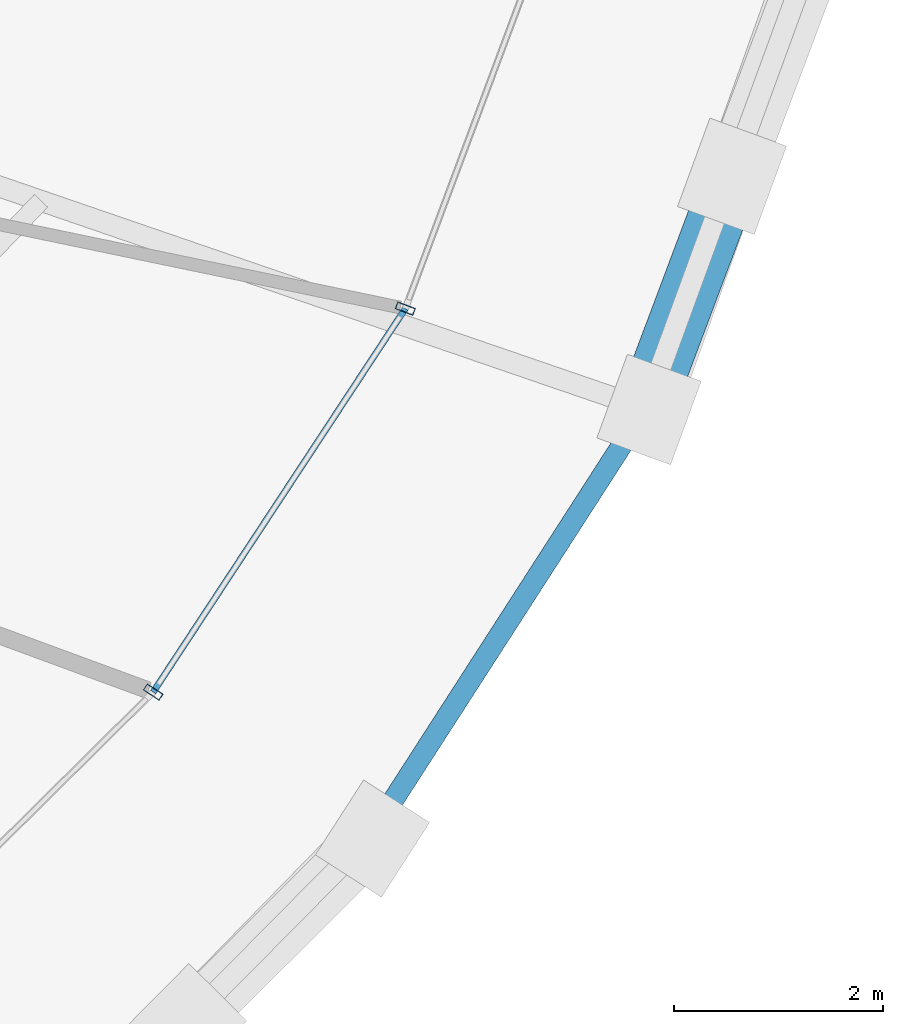
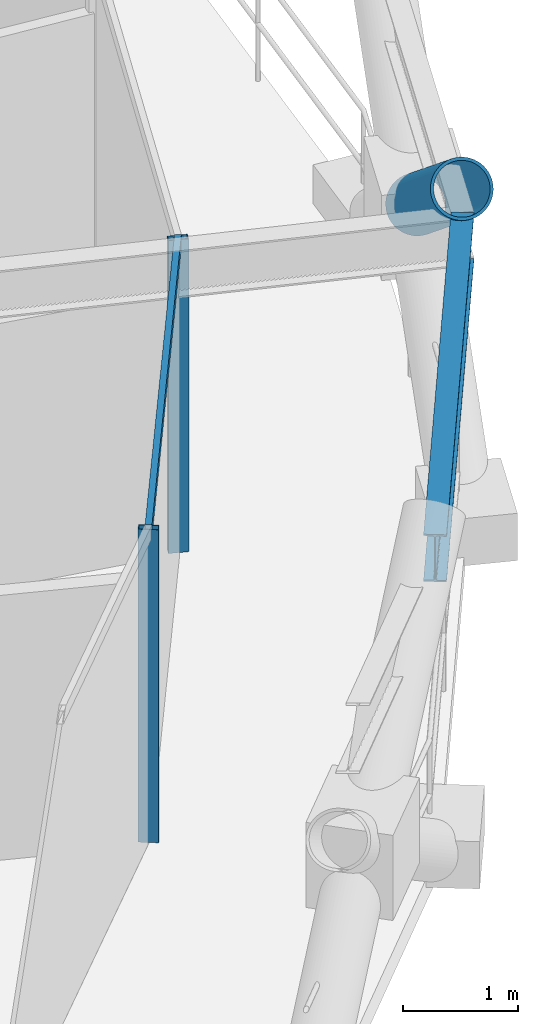
# One storey, part 7 of 21: 4 members, 1 beam, 1 element without a shape of its own.
"""IFC4 building model written with IfcOpenShell, lengths in metres."""

from ifc_helpers import new_model, si_unit, direction, frame, origin, origin_2d, place, context, subcontext, project, spatial, hollow_rectangle, hollow_circle, i_section, extrude, material, layer, layer_set, material_profile, profile_set, type_object, element, aggregate, save


model = new_model("IFC4")

# Units and contexts
model_context = context("Model", 3, precision=1e-05, world=origin(), true_north=direction((0.0, 1.0)))
body_context = subcontext(model_context, "Body", "Model", "MODEL_VIEW")
ifc_project = project(units=[si_unit("LENGTHUNIT", "METRE"), si_unit("AREAUNIT", "SQUARE_METRE"), si_unit("VOLUMEUNIT", "CUBIC_METRE"), si_unit("PLANEANGLEUNIT", "RADIAN"), si_unit("MASSUNIT", "GRAM", prefix="KILO")], contexts=[model_context])

# Site, building, storey
site_placement = place(None, origin())
site = spatial("IfcSite", under=ifc_project, at=site_placement, CompositionType="ELEMENT")
building_placement = place(site_placement, origin())
building = spatial("IfcBuilding", under=site, at=building_placement, Name="Veldorina Hangang Commons", CompositionType="ELEMENT")
storey_placement = place(building_placement, frame((0.0, 0.0, 128.0)))
storey = spatial("IfcBuildingStorey", under=building, at=storey_placement, Name="L32", CompositionType="ELEMENT", Elevation=128.0)

# Beam
ifc_material_1 = material(Name="Steel SM420-TMC", Category="steel")
ifc_material_profile_1 = material_profile(ifc_material_1, i_section(OverallWidth=0.199951171875, OverallDepth=0.5, WebThickness=0.010009765625, FlangeThickness=0.01611328125, FilletRadius=0.01611328125, at=origin_2d()), Name="H-500x200x10x16")
ifc_profile_set_1 = profile_set([ifc_material_profile_1], Name="Steel SM420-TMC")
beam_type = type_object("IfcBeamType", Name="BM-RB500", PredefinedType="BEAM", material=ifc_profile_set_1)
beam_placement = place(storey_placement, frame((55.738037109375, 10.841552734375, 3.10009765625), z_axis=(0.541608468254, 0.840630874472, 0.0), x_axis=(-0.840630874472, 0.541608468254, 0.0)))
element("IfcBeam", 1, at=beam_placement, inside=storey, type_object=beam_type, Name="L32 perimeter hoop ring beam 29", PredefinedType="BEAM", context=body_context, shape_type="SweptSolid", body=[
    extrude(i_section(OverallWidth=0.199951171875, OverallDepth=0.5, WebThickness=0.010009765625, FlangeThickness=0.01611328125, FilletRadius=0.01611328125, at=origin_2d()), origin(), (0.0, 0.0, 1.0), 4.87109375),
])

# Curtain wall, members
ifc_material_2 = material(Name="Glass Low-E Triple IGU", Category="glass")
ifc_layer = layer(ifc_material_2, 0.179931640625)
ifc_layer_set = layer_set([ifc_layer], Name="Glass Low-E Triple IGU")
curtain_wall_type = type_object("IfcCurtainWallType", Name="CW-SYS-Z2", PredefinedType="NOTDEFINED", material=ifc_layer_set)
curtain_wall_placement = place(storey_placement, origin())
curtain_wall = element("IfcCurtainWall", 2, at=curtain_wall_placement, inside=storey, type_object=curtain_wall_type, Name="L32 unitised curtain wall CW-L32-R2", PredefinedType="NOTDEFINED")
ifc_material_3 = material(Name="Aluminium Anodized AA6063-T6", Category="aluminium")
ifc_material_profile_2 = material_profile(ifc_material_3, hollow_rectangle(XDim=0.070068359375, YDim=0.179931640625, WallThickness=0.00390625, at=origin_2d()), Name="ALU-RHS-180x70x4")
ifc_profile_set_2 = profile_set([ifc_material_profile_2], Name="Aluminium Anodized AA6063-T6")
member_type_1 = type_object("IfcMemberType", Name="CW-MUL-180", PredefinedType="MULLION", material=ifc_profile_set_2)
member_1_placement = place(storey_placement, frame((53.672607421875, 12.2275390625, 0.0), z_axis=(0.0, 0.0, 1.0), x_axis=(0.549372871991, 0.83557731391, 0.0)))
member_1 = element("IfcMember", 3, at=member_1_placement, type_object=member_type_1, Name="CW-L32-R2 vertical mullion 2", PredefinedType="MULLION", context=body_context, shape_type="SweptSolid", body=[
    extrude(hollow_rectangle(XDim=0.070068359375, YDim=0.179931640625, WallThickness=0.00390625, at=origin_2d()), origin(), (0.0, 0.0, 1.0), 3.31005859375),
])
member_2_placement = place(storey_placement, frame((56.081298828125, 15.89111328125, 0.0), z_axis=(0.0, 0.0, 1.0), x_axis=(0.349602431772, 0.936898147986, 0.0)))
member_2 = element("IfcMember", 4, at=member_2_placement, type_object=member_type_1, Name="CW-L32-R2 vertical mullion 3", PredefinedType="MULLION", context=body_context, shape_type="SweptSolid", body=[
    extrude(hollow_rectangle(XDim=0.070068359375, YDim=0.179931640625, WallThickness=0.00390625, at=origin_2d()), origin(), (0.0, 0.0, 1.0), 3.31005859375),
])
ifc_material_profile_3 = material_profile(ifc_material_3, hollow_rectangle(XDim=0.06005859375, YDim=0.139892578125, WallThickness=0.00341796875, at=origin_2d()), Name="ALU-RHS-140x60x3.5")
ifc_profile_set_3 = profile_set([ifc_material_profile_3], Name="Aluminium Anodized AA6063-T6")
member_type_2 = type_object("IfcMemberType", Name="CW-TRN-140", PredefinedType="USERDEFINED", material=ifc_profile_set_3)
member_3_placement = place(storey_placement, frame((53.672607421875, 12.2275390625, 3.27001953125), z_axis=(0.549368985168, 0.835579869393, 0.0), x_axis=(-0.835579869393, 0.549368985168, 0.0)))
member_3 = element("IfcMember", 5, at=member_3_placement, type_object=member_type_2, Name="CW-L32-R2 facet 3 transom 1", ObjectType="TRANSOM", PredefinedType="USERDEFINED", context=body_context, shape_type="SweptSolid", body=[
    extrude(hollow_rectangle(XDim=0.06005859375, YDim=0.139892578125, WallThickness=0.00341796875, at=origin_2d()), origin(), (0.0, 0.0, 1.0), 4.384521484375),
])
aggregate(curtain_wall, [member_1, member_2, member_3])

# Member
ifc_material_profile_4 = material_profile(ifc_material_1, hollow_circle(Radius=0.27490234375, WallThickness=0.028076171875, at=origin_2d()), Name="CHS-550x28")
ifc_profile_set_4 = profile_set([ifc_material_profile_4], Name="Steel SM420-TMC")
member_type_3 = type_object("IfcMemberType", Name="DG-CHS550", PredefinedType="BRACE", material=ifc_profile_set_4)
member_4_placement = place(storey_placement, frame((59.202880859375, 17.15478515625, 1.801025390625), z_axis=(-0.279775813415, -0.745494178879, 0.604949521436), x_axis=(0.936240171833, -0.351360698778, 0.0)))
element("IfcMember", 6, at=member_4_placement, inside=storey, type_object=member_type_3, Name="L32 split perimeter diagrid upper brace 31", PredefinedType="BRACE", context=body_context, shape_type="SweptSolid", body=[
    extrude(hollow_circle(Radius=0.27490234375, WallThickness=0.028076171875, at=origin_2d()), origin(), (0.0, 0.0, 1.0), 2.973876953125),
])

save(model, "model.ifc")
